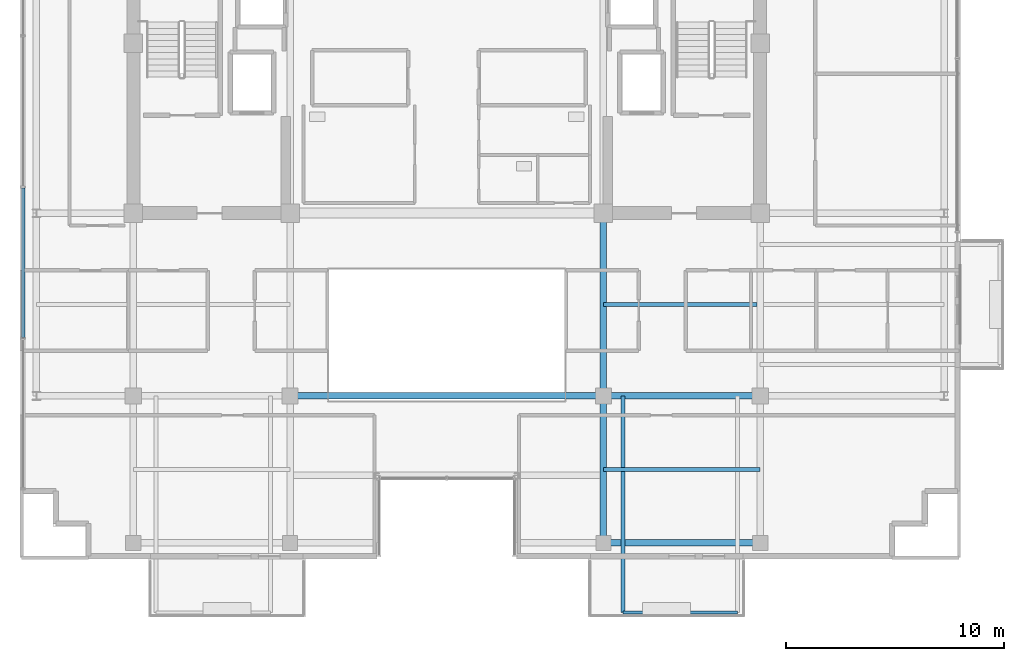
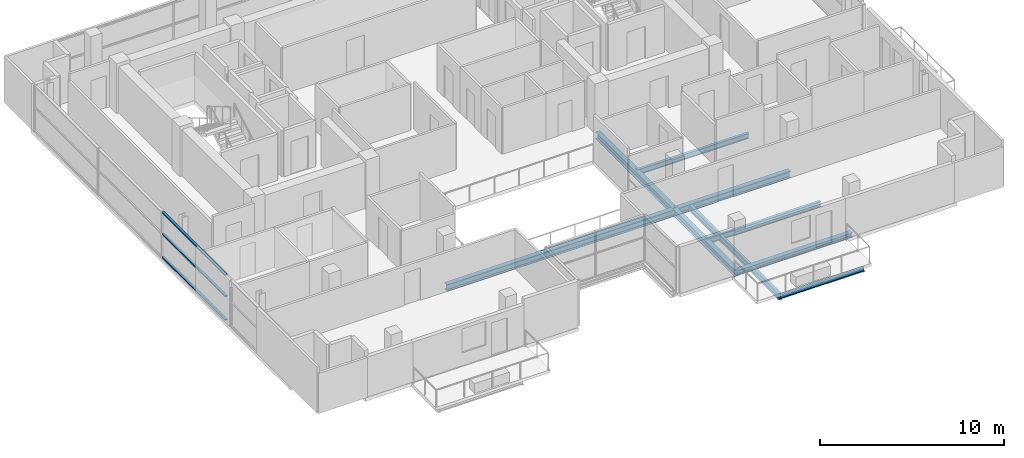
# One storey, part 6 of 22: 9 beams, 3 members, 1 element without a shape of its own.
"""IFC4 building model written with IfcOpenShell, lengths in metres."""

from ifc_helpers import new_model, si_unit, direction, frame, origin, origin_2d, place, context, subcontext, project, spatial, hollow_rectangle, i_section, extrude, source, transform, mapped, material, layer, layer_set, material_profile, profile_set, type_object, element, aggregate, save


model = new_model("IFC4")

# Units and contexts
model_context = context("Model", 3, precision=1e-05, world=origin(), true_north=direction((0.0, 1.0)))
body_context = subcontext(model_context, "Body", "Model", "MODEL_VIEW")
ifc_project = project(units=[si_unit("LENGTHUNIT", "METRE"), si_unit("AREAUNIT", "SQUARE_METRE"), si_unit("VOLUMEUNIT", "CUBIC_METRE"), si_unit("PLANEANGLEUNIT", "RADIAN"), si_unit("MASSUNIT", "GRAM", prefix="KILO")], contexts=[model_context])

# Site, building, storey
site_placement = place(None, origin())
site = spatial("IfcSite", under=ifc_project, at=site_placement, CompositionType="ELEMENT")
building_placement = place(site_placement, origin())
building = spatial("IfcBuilding", under=site, at=building_placement, Name="Zarnakvel Exchange Tower", CompositionType="ELEMENT")
storey_placement = place(building_placement, frame((0.0, 0.0, 251.800048828125)))
storey = spatial("IfcBuildingStorey", under=building, at=storey_placement, Name="L71", CompositionType="ELEMENT", Elevation=251.800048828125)

# Beams
ifc_material_1 = material(Name="Steel S355", Category="steel")
ifc_material_profile_1 = material_profile(ifc_material_1, i_section(OverallWidth=0.179931640625, OverallDepth=0.39990234375, WebThickness=0.008544921875, FlangeThickness=0.013427734375, FilletRadius=0.02099609375, at=origin_2d()))
ifc_profile_set_1 = profile_set([ifc_material_profile_1], Name="Steel S355")
beam_type_1 = type_object("IfcBeamType", Name="B-06", PredefinedType="JOIST", material=ifc_profile_set_1)
beam_1_placement = place(storey_placement, frame((8.10009765625, -9.60009765625, -0.425048828125), z_axis=(0.0, -1.0, 0.0), x_axis=(1.0, 0.0, 0.0)))
element("IfcBeam", 1, at=beam_1_placement, inside=storey, type_object=beam_type_1, Name="L71 Continuous Back-Spanned Balcony Beam W", PredefinedType="JOIST", context=body_context, shape_type="SweptSolid", body=[
    extrude(i_section(OverallWidth=0.179931640625, OverallDepth=0.39990234375, WebThickness=0.008544921875, FlangeThickness=0.013427734375, FilletRadius=0.02099609375, at=origin_2d()), origin(), (0.0, 0.0, 1.0), 9.949951171875),
])
ifc_material_profile_2 = material_profile(ifc_material_1, i_section(OverallWidth=0.169921875, OverallDepth=0.360107421875, WebThickness=0.008056640625, FlangeThickness=0.0126953125, FilletRadius=0.01806640625, at=origin_2d()))
ifc_profile_set_2 = profile_set([ifc_material_profile_2], Name="Steel S355")
beam_type_2 = type_object("IfcBeamType", Name="B-07", PredefinedType="JOIST", material=ifc_profile_set_2)
beam_2_placement = place(storey_placement, frame((7.199951171875, -12.97509765625, -0.405029296875), z_axis=(1.0, 0.0, 0.0), x_axis=(0.0, 1.0, 0.0)))
element("IfcBeam", 2, at=beam_2_placement, inside=storey, type_object=beam_type_2, Name="L71 Composite Floor Secondary Joist", PredefinedType="JOIST", context=body_context, shape_type="SweptSolid", body=[
    extrude(i_section(OverallWidth=0.169921875, OverallDepth=0.360107421875, WebThickness=0.008056640625, FlangeThickness=0.0126953125, FilletRadius=0.01806640625, at=origin_2d()), origin(), (0.0, 0.0, 1.0), 7.199951171875),
])
beam_3_placement = place(storey_placement, frame((7.199951171875, -5.39990234375, -0.405029296875), z_axis=(1.0, 0.0, 0.0), x_axis=(0.0, 1.0, 0.0)))
element("IfcBeam", 3, at=beam_3_placement, inside=storey, type_object=beam_type_2, Name="L71 Composite Floor Secondary Joist", PredefinedType="JOIST", context=body_context, shape_type="SweptSolid", body=[
    extrude(i_section(OverallWidth=0.169921875, OverallDepth=0.360107421875, WebThickness=0.008056640625, FlangeThickness=0.0126953125, FilletRadius=0.01806640625, at=origin_2d()), origin(), (0.0, 0.0, 1.0), 7.050048828125),
])
ifc_material_profile_3 = material_profile(ifc_material_1, i_section(OverallWidth=0.14990234375, OverallDepth=0.300048828125, WebThickness=0.007080078125, FlangeThickness=0.0107421875, FilletRadius=0.014892578125, at=origin_2d()))
ifc_profile_set_3 = profile_set([ifc_material_profile_3], Name="Steel S355")
beam_type_3 = type_object("IfcBeamType", Name="B-08", PredefinedType="JOIST", material=ifc_profile_set_3)
beam_4_placement = place(storey_placement, frame((8.10009765625, -19.550048828125, -0.375), z_axis=(1.0, 0.0, 0.0), x_axis=(0.0, 1.0, 0.0)))
element("IfcBeam", 4, at=beam_4_placement, inside=storey, type_object=beam_type_3, Name="L71 Balcony Edge Beam", PredefinedType="JOIST", context=body_context, shape_type="SweptSolid", body=[
    extrude(i_section(OverallWidth=0.14990234375, OverallDepth=0.300048828125, WebThickness=0.007080078125, FlangeThickness=0.0107421875, FilletRadius=0.014892578125, at=origin_2d()), origin(), (0.0, 0.0, 1.0), 5.25),
])
ifc_material_profile_4 = material_profile(ifc_material_1, i_section(OverallWidth=0.300048828125, OverallDepth=0.449951171875, WebThickness=0.013916015625, FlangeThickness=0.02587890625, FilletRadius=0.027099609375, at=origin_2d()))
ifc_profile_set_4 = profile_set([ifc_material_profile_4], Name="Steel S355")
beam_type_4 = type_object("IfcBeamType", Name="G-07", PredefinedType="BEAM", material=ifc_profile_set_4)
beam_5_placement = place(storey_placement, frame((-7.199951171875, -9.60009765625, -0.449951171875), z_axis=(1.0, 0.0, 0.0), x_axis=(0.0, 1.0, 0.0)))
element("IfcBeam", 5, at=beam_5_placement, inside=storey, type_object=beam_type_4, Name="L71 Tower E-W Frame Beam", PredefinedType="BEAM", context=body_context, shape_type="SweptSolid", body=[
    extrude(i_section(OverallWidth=0.300048828125, OverallDepth=0.449951171875, WebThickness=0.013916015625, FlangeThickness=0.02587890625, FilletRadius=0.027099609375, at=origin_2d()), origin(), (0.0, 0.0, 1.0), 14.39990234375),
])
beam_6_placement = place(storey_placement, frame((7.199951171875, -9.60009765625, -0.449951171875), z_axis=(1.0, 0.0, 0.0), x_axis=(0.0, 1.0, 0.0)))
element("IfcBeam", 6, at=beam_6_placement, inside=storey, type_object=beam_type_4, Name="L71 Tower E-W Frame Beam", PredefinedType="BEAM", context=body_context, shape_type="SweptSolid", body=[
    extrude(i_section(OverallWidth=0.300048828125, OverallDepth=0.449951171875, WebThickness=0.013916015625, FlangeThickness=0.02587890625, FilletRadius=0.027099609375, at=origin_2d()), origin(), (0.0, 0.0, 1.0), 7.199951171875),
])
beam_7_placement = place(storey_placement, frame((7.199951171875, -16.35009765625, -0.449951171875), z_axis=(0.0, 1.0, 0.0), x_axis=(-1.0, 0.0, 0.0)))
element("IfcBeam", 7, at=beam_7_placement, inside=storey, type_object=beam_type_4, Name="L71 Tower N-S Frame Beam", PredefinedType="BEAM", context=body_context, shape_type="SweptSolid", body=[
    extrude(i_section(OverallWidth=0.300048828125, OverallDepth=0.449951171875, WebThickness=0.013916015625, FlangeThickness=0.02587890625, FilletRadius=0.027099609375, at=origin_2d()), origin(), (0.0, 0.0, 1.0), 6.75),
])
beam_8_placement = place(storey_placement, frame((7.199951171875, -9.60009765625, -0.449951171875), z_axis=(0.0, 1.0, 0.0), x_axis=(-1.0, 0.0, 0.0)))
element("IfcBeam", 8, at=beam_8_placement, inside=storey, type_object=beam_type_4, Name="L71 Tower N-S Frame Beam", PredefinedType="BEAM", context=body_context, shape_type="SweptSolid", body=[
    extrude(i_section(OverallWidth=0.300048828125, OverallDepth=0.449951171875, WebThickness=0.013916015625, FlangeThickness=0.02587890625, FilletRadius=0.027099609375, at=origin_2d()), origin(), (0.0, 0.0, 1.0), 8.400146484375),
])
ifc_material_profile_5 = material_profile(ifc_material_1, i_section(OverallWidth=0.300048828125, OverallDepth=0.300048828125, WebThickness=0.010986328125, FlangeThickness=0.01904296875, FilletRadius=0.027099609375, at=origin_2d()))
ifc_profile_set_5 = profile_set([ifc_material_profile_5], Name="Steel S355")
beam_type_5 = type_object("IfcBeamType", Name="SP-03", PredefinedType="SPANDREL", material=ifc_profile_set_5)
beam_9_placement = place(storey_placement, frame((7.199951171875, -16.35009765625, -0.375), z_axis=(1.0, 0.0, 0.0), x_axis=(0.0, 1.0, 0.0)))
element("IfcBeam", 9, at=beam_9_placement, inside=storey, type_object=beam_type_5, Name="L71 Tower E-W Frame Beam", PredefinedType="SPANDREL", context=body_context, shape_type="SweptSolid", body=[
    extrude(i_section(OverallWidth=0.300048828125, OverallDepth=0.300048828125, WebThickness=0.010986328125, FlangeThickness=0.01904296875, FilletRadius=0.027099609375, at=origin_2d()), origin(), (0.0, 0.0, 1.0), 7.199951171875),
])

# Curtain wall, members
ifc_material_2 = material(Name="Architectural Bronze Anodised Aluminium", Category="aluminium")
ifc_layer = layer(ifc_material_2, 0.199951171875)
ifc_layer_set = layer_set([ifc_layer], Name="Architectural Bronze Anodised Aluminium")
curtain_wall_type = type_object("IfcCurtainWallType", Name="CW-04", PredefinedType="NOTDEFINED", material=ifc_layer_set)
curtain_wall_placement = place(storey_placement, origin())
curtain_wall = element("IfcCurtainWall", 10, at=curtain_wall_placement, inside=storey, type_object=curtain_wall_type, Name="L71 Curtain Wall CW-L71-W1 (CW-04)", PredefinedType="NOTDEFINED")
ifc_material_profile_6 = material_profile(ifc_material_2, hollow_rectangle(XDim=0.159912109375, YDim=0.074951171875, WallThickness=0.00390625, at=origin_2d()))
ifc_profile_set_6 = profile_set([ifc_material_profile_6], Name="Architectural Bronze Anodised Aluminium")
member_type = type_object("IfcMemberType", Name="CWT-04", PredefinedType="USERDEFINED", material=ifc_profile_set_6)
shared_shape = source(origin(), body_context, "Body", "SweptSolid", [
    extrude(hollow_rectangle(XDim=0.159912109375, YDim=0.074951171875, WallThickness=0.00390625, at=origin_2d()), origin(), (0.0, 0.0, 1.0), 6.875),
])
member_1_placement = place(storey_placement, frame((-19.4599609375, -6.91259765625, 0.037353515625), z_axis=(0.0, 1.0, 0.0), x_axis=(-1.0, 0.0, 0.0)))
member_1 = element("IfcMember", 11, at=member_1_placement, type_object=member_type, Name="CW-04 transom 2.1", ObjectType="TRANSOM", PredefinedType="USERDEFINED", context=body_context, shape_type="MappedRepresentation", body=[
    mapped(shared_shape, transform((0.0, 0.0, 0.0), x_axis=(1.0, 0.0, 0.0), y_axis=(0.0, 1.0, 0.0), z_axis=(0.0, 0.0, 1.0), scale=1.0)),
])
member_2_placement = place(storey_placement, frame((-19.4599609375, -6.91259765625, 1.588623046875), z_axis=(0.0, 1.0, 0.0), x_axis=(-1.0, 0.0, 0.0)))
member_2 = element("IfcMember", 12, at=member_2_placement, type_object=member_type, Name="CW-04 transom 2.2", ObjectType="TRANSOM", PredefinedType="USERDEFINED", context=body_context, shape_type="MappedRepresentation", body=[
    mapped(shared_shape, transform((0.0, 0.0, 0.0), x_axis=(1.0, 0.0, 0.0), y_axis=(0.0, 1.0, 0.0), z_axis=(0.0, 0.0, 1.0), scale=1.0)),
])
member_3_placement = place(storey_placement, frame((-19.4599609375, -6.91259765625, 3.017333984375), z_axis=(0.0, 1.0, 0.0), x_axis=(-1.0, 0.0, 0.0)))
member_3 = element("IfcMember", 13, at=member_3_placement, type_object=member_type, Name="CW-04 transom 2.3", ObjectType="TRANSOM", PredefinedType="USERDEFINED", context=body_context, shape_type="MappedRepresentation", body=[
    mapped(shared_shape, transform((0.0, 0.0, 0.0), x_axis=(1.0, 0.0, 0.0), y_axis=(0.0, 1.0, 0.0), z_axis=(0.0, 0.0, 1.0), scale=1.0)),
])
aggregate(curtain_wall, [member_1, member_2, member_3])

save(model, "model.ifc")
